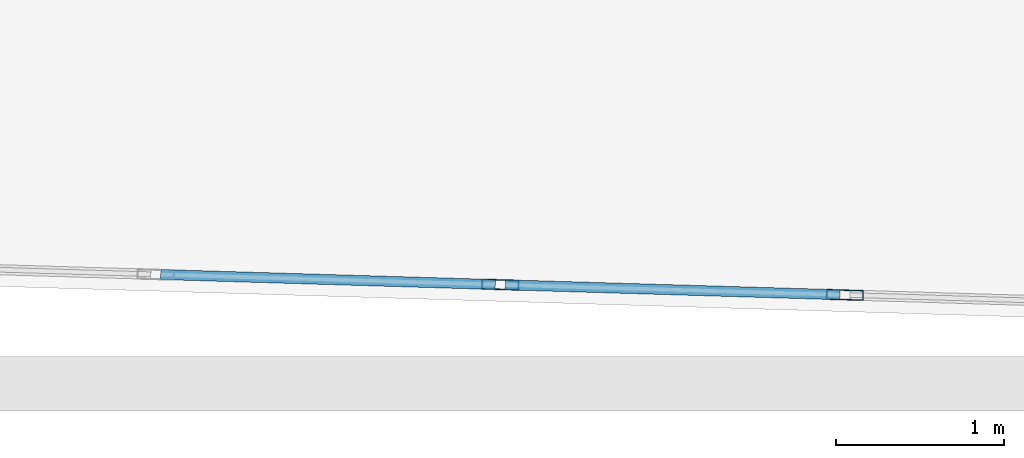
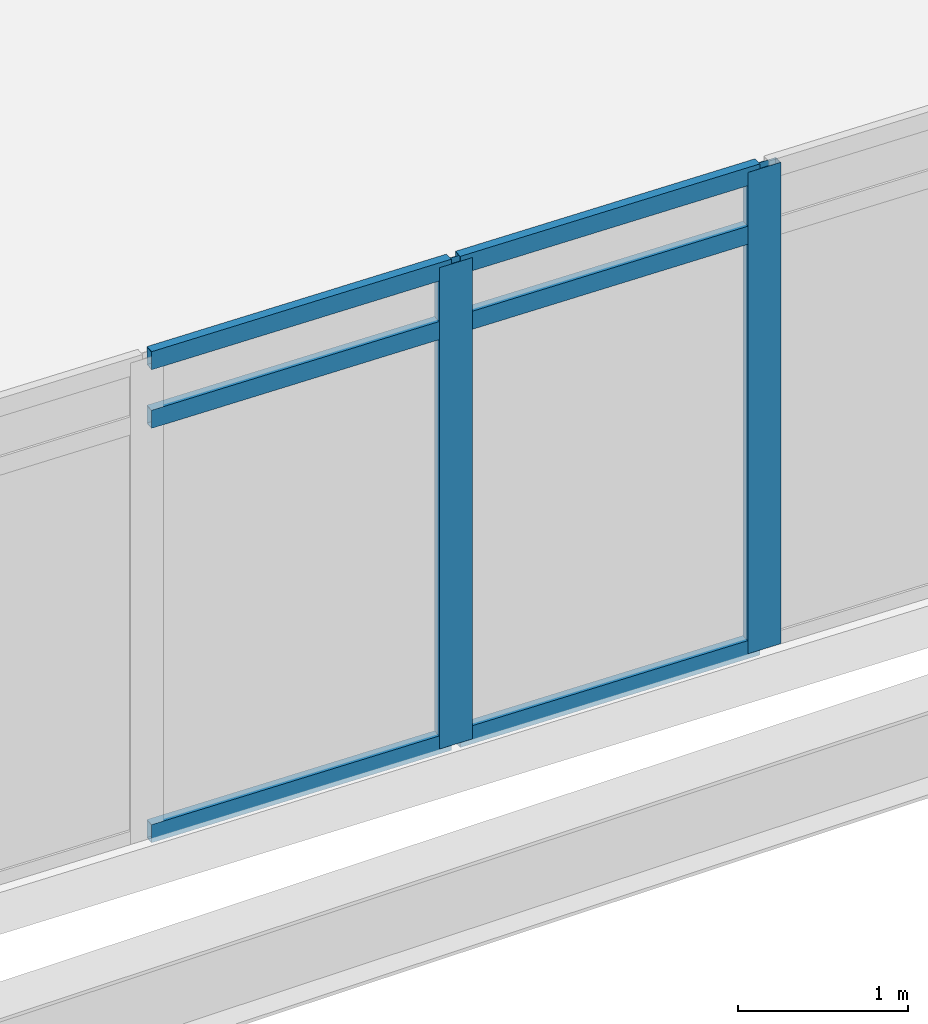
# One storey, part 3 of 28: 8 members, 1 element without a shape of its own.
"""IFC4 building model written with IfcOpenShell, lengths in metres."""

from ifc_helpers import new_model, si_unit, direction, frame, origin, origin_2d, place, context, subcontext, project, spatial, hollow_rectangle, extrude, material, material_profile, profile_set, type_object, element, aggregate, save


model = new_model("IFC4")

# Units and contexts
model_context = context("Model", 3, precision=1e-05, world=origin(), true_north=direction((0.0, 1.0)))
body_context = subcontext(model_context, "Body", "Model", "MODEL_VIEW")
ifc_project = project(units=[si_unit("LENGTHUNIT", "METRE"), si_unit("AREAUNIT", "SQUARE_METRE"), si_unit("VOLUMEUNIT", "CUBIC_METRE"), si_unit("PLANEANGLEUNIT", "RADIAN"), si_unit("MASSUNIT", "GRAM", prefix="KILO")], contexts=[model_context])

# Site, building, storey
site_placement = place(None, origin())
site = spatial("IfcSite", under=ifc_project, at=site_placement, CompositionType="ELEMENT")
building_placement = place(site_placement, origin())
building = spatial("IfcBuilding", under=site, at=building_placement, Name="Ostrander Bayou Hotel Tower", CompositionType="ELEMENT")
storey_placement = place(building_placement, frame((0.0, 0.0, 104.25)))
storey = spatial("IfcBuildingStorey", under=building, at=storey_placement, Name="L26", CompositionType="ELEMENT", Elevation=104.25)

# Curtain wall, members
ifc_material_1 = material(Name="Aluminium and clear glass", Category="aluminium")
curtain_wall_type = type_object("IfcCurtainWallType", Name="CW-BAR glazed wall", PredefinedType="NOTDEFINED", material=ifc_material_1)
curtain_wall_placement = place(storey_placement, origin())
curtain_wall = element("IfcCurtainWall", 1, at=curtain_wall_placement, inside=storey, type_object=curtain_wall_type, Name="CW-BAR L26:SB2S:T", PredefinedType="NOTDEFINED")
ifc_material_2 = material(Name="Aluminium", Category="aluminium")
ifc_material_profile_1 = material_profile(ifc_material_2, hollow_rectangle(XDim=0.06005859375, YDim=0.219970703125, WallThickness=0.00390625, at=origin_2d()))
ifc_profile_set_1 = profile_set([ifc_material_profile_1], Name="Aluminium")
member_type_1 = type_object("IfcMemberType", Name="CW-BR mullion 60 x 220 mm", PredefinedType="MULLION", material=ifc_profile_set_1)
member_1_placement = place(storey_placement, frame((-3.084716796875, -31.608154296875, 0.0), z_axis=(0.0, 0.0, 1.0), x_axis=(0.029746242041, 0.999557482631, 0.0)))
member_1 = element("IfcMember", 2, at=member_1_placement, type_object=member_type_1, Name="CW-BAR mullion 6", PredefinedType="MULLION", context=body_context, shape_type="SweptSolid", body=[
    extrude(hollow_rectangle(XDim=0.06005859375, YDim=0.219970703125, WallThickness=0.00390625, at=origin_2d()), origin(), (0.0, 0.0, 1.0), 3.449951171875),
])
member_2_placement = place(storey_placement, frame((-1.0283203125, -31.66943359375, 0.0), z_axis=(0.0, 0.0, 1.0), x_axis=(0.029746242041, 0.999557482631, 0.0)))
member_2 = element("IfcMember", 3, at=member_2_placement, type_object=member_type_1, Name="CW-BAR mullion 7", PredefinedType="MULLION", context=body_context, shape_type="SweptSolid", body=[
    extrude(hollow_rectangle(XDim=0.06005859375, YDim=0.219970703125, WallThickness=0.00390625, at=origin_2d()), origin(), (0.0, 0.0, 1.0), 3.449951171875),
])
ifc_material_3 = material(Name="Aluminium", Category="aluminium")
ifc_material_profile_2 = material_profile(ifc_material_3, hollow_rectangle(XDim=0.06005859375, YDim=0.1298828125, WallThickness=0.00390625, at=origin_2d()))
ifc_profile_set_2 = profile_set([ifc_material_profile_2], Name="Aluminium")
member_type_2 = type_object("IfcMemberType", Name="CW-BR transom 60 x 130 mm", PredefinedType="USERDEFINED", material=ifc_profile_set_2)
member_3_placement = place(storey_placement, frame((-5.111328125, -31.5478515625, 0.030029296875), z_axis=(0.999555199151, -0.029822874614, 0.0), x_axis=(0.029822874614, 0.999555199151, 0.0)))
member_3 = element("IfcMember", 4, at=member_3_placement, type_object=member_type_2, Name="CW-BAR transom 5.1", ObjectType="TRANSOM", PredefinedType="USERDEFINED", context=body_context, shape_type="SweptSolid", body=[
    extrude(hollow_rectangle(XDim=0.06005859375, YDim=0.1298828125, WallThickness=0.00390625, at=origin_2d()), origin(), (0.0, 0.0, 1.0), 1.99755859375),
])
member_4_placement = place(storey_placement, frame((-5.111328125, -31.5478515625, 3.0), z_axis=(0.999555199151, -0.029822874614, 0.0), x_axis=(0.029822874614, 0.999555199151, 0.0)))
member_4 = element("IfcMember", 5, at=member_4_placement, type_object=member_type_2, Name="CW-BAR transom 5.2", ObjectType="TRANSOM", PredefinedType="USERDEFINED", context=body_context, shape_type="SweptSolid", body=[
    extrude(hollow_rectangle(XDim=0.06005859375, YDim=0.1298828125, WallThickness=0.00390625, at=origin_2d()), origin(), (0.0, 0.0, 1.0), 1.99755859375),
])
member_5_placement = place(storey_placement, frame((-5.111328125, -31.5478515625, 3.419921875), z_axis=(0.999555199151, -0.029822874614, 0.0), x_axis=(0.029822874614, 0.999555199151, 0.0)))
member_5 = element("IfcMember", 6, at=member_5_placement, type_object=member_type_2, Name="CW-BAR transom 5.3", ObjectType="TRANSOM", PredefinedType="USERDEFINED", context=body_context, shape_type="SweptSolid", body=[
    extrude(hollow_rectangle(XDim=0.06005859375, YDim=0.1298828125, WallThickness=0.00390625, at=origin_2d()), origin(), (0.0, 0.0, 1.0), 1.99755859375),
])
member_6_placement = place(storey_placement, frame((-3.0546875, -31.609130859375, 0.030029296875), z_axis=(0.999558727342, -0.029704386785, 0.0), x_axis=(0.029704386785, 0.999558727342, 0.0)))
member_6 = element("IfcMember", 7, at=member_6_placement, type_object=member_type_2, Name="CW-BAR transom 6.1", ObjectType="TRANSOM", PredefinedType="USERDEFINED", context=body_context, shape_type="SweptSolid", body=[
    extrude(hollow_rectangle(XDim=0.06005859375, YDim=0.1298828125, WallThickness=0.00390625, at=origin_2d()), origin(), (0.0, 0.0, 1.0), 1.997314453125),
])
member_7_placement = place(storey_placement, frame((-3.0546875, -31.609130859375, 3.0), z_axis=(0.999558727342, -0.029704386785, 0.0), x_axis=(0.029704386785, 0.999558727342, 0.0)))
member_7 = element("IfcMember", 8, at=member_7_placement, type_object=member_type_2, Name="CW-BAR transom 6.2", ObjectType="TRANSOM", PredefinedType="USERDEFINED", context=body_context, shape_type="SweptSolid", body=[
    extrude(hollow_rectangle(XDim=0.06005859375, YDim=0.1298828125, WallThickness=0.00390625, at=origin_2d()), origin(), (0.0, 0.0, 1.0), 1.997314453125),
])
member_8_placement = place(storey_placement, frame((-3.0546875, -31.609130859375, 3.419921875), z_axis=(0.999558727342, -0.029704386785, 0.0), x_axis=(0.029704386785, 0.999558727342, 0.0)))
member_8 = element("IfcMember", 9, at=member_8_placement, type_object=member_type_2, Name="CW-BAR transom 6.3", ObjectType="TRANSOM", PredefinedType="USERDEFINED", context=body_context, shape_type="SweptSolid", body=[
    extrude(hollow_rectangle(XDim=0.06005859375, YDim=0.1298828125, WallThickness=0.00390625, at=origin_2d()), origin(), (0.0, 0.0, 1.0), 1.997314453125),
])
aggregate(curtain_wall, [member_1, member_2, member_3, member_4, member_5, member_6, member_7, member_8])

save(model, "model.ifc")
